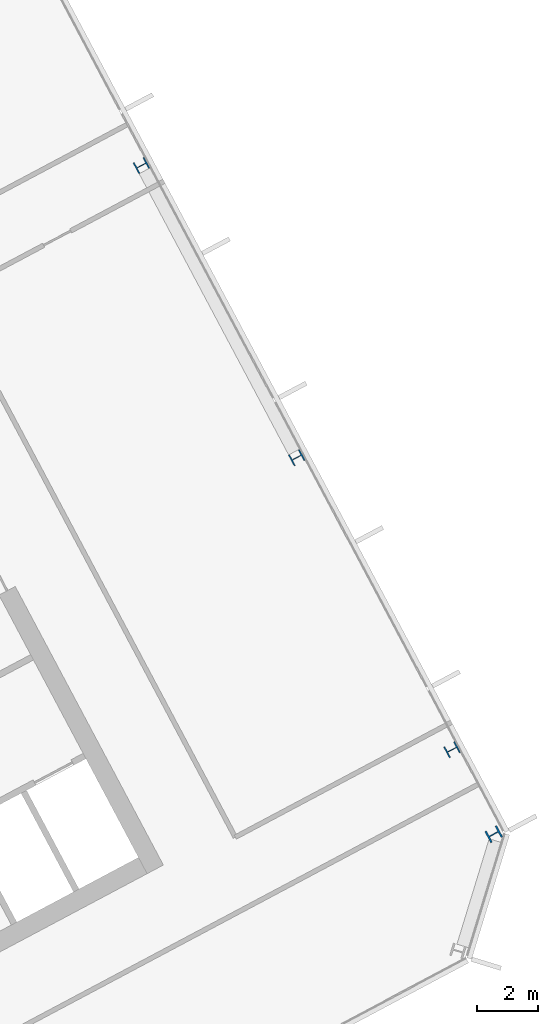
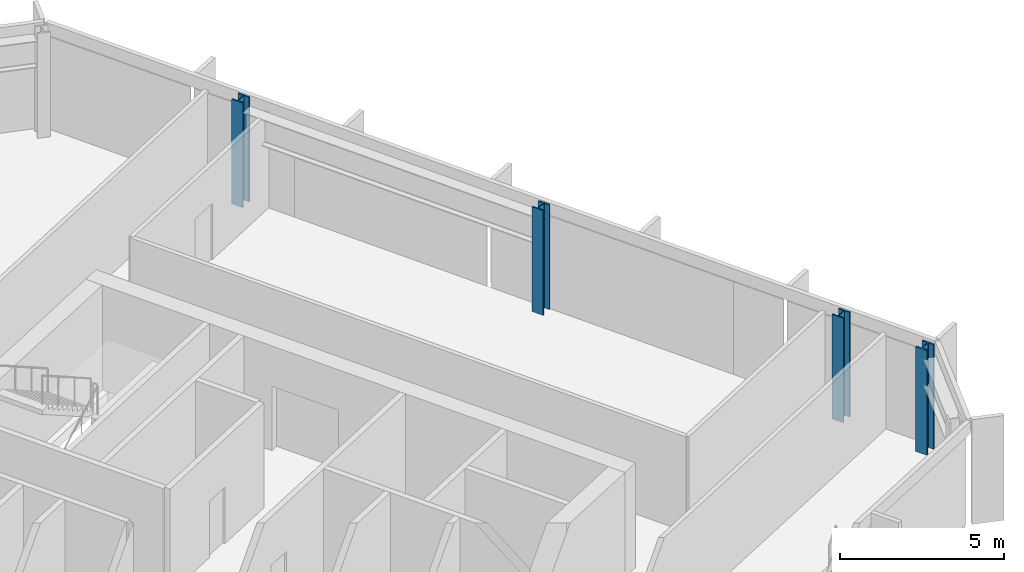
# One storey, part 7 of 26: 4 columns.
"""IFC4 building model written with IfcOpenShell, lengths in metres."""

import ifcopenshell
import ifcopenshell.guid

model = None  # the IFC model being written
_history = None  # IfcOwnerHistory: only IFC2X3 demands one
_inside = {}  # id of a spatial element -> (the spatial element, [elements in it])
_under = {}  # id of a project, library or spatial element -> (it, [spatial elements below it])
_declared = {}  # id of a project -> (the project, [libraries it declares])
_typed = {}  # id of a type object -> (the type object, [elements of that type])
_made_of = {}  # id of a material, layer set ... -> (it, [elements and type objects made of it])


def new_model(schema):
    """Start an empty IFC model of exactly this schema.

    Asked for "IFC4X3", IfcOpenShell would pick the latest addendum, in which some entities
    have other attributes; the version numbers below select the first issue.
    IFC2X3 requires an IfcOwnerHistory on every rooted entity: one is made here for all.
    """
    global model, _history
    if schema == "IFC4X3":
        model = ifcopenshell.file(schema_version=(4, 3, 0, 0))
    else:
        model = ifcopenshell.file(schema=schema)
    _inside.clear()
    _under.clear()
    _declared.clear()
    _typed.clear()
    _made_of.clear()
    _history = None
    if model.schema == "IFC2X3":
        org = make("IfcOrganization", Name="unknown")
        user = make(
            "IfcPersonAndOrganization",
            ThePerson=make("IfcPerson", FamilyName="unknown"),
            TheOrganization=org,
        )
        app = make(
            "IfcApplication",
            ApplicationDeveloper=org,
            Version="unknown",
            ApplicationFullName="unknown",
            ApplicationIdentifier="unknown",
        )
        _history = make(
            "IfcOwnerHistory",
            OwningUser=user,
            OwningApplication=app,
            ChangeAction="ADDED",
            CreationDate=0,
        )
    return model


def make(cls, **values):
    """One entity of the class cls with the attributes given. An attribute that is None is left unset."""
    return model.create_entity(
        cls, **{name: value for name, value in values.items() if value is not None}
    )


def rooted(cls, **values):
    """An entity with a GlobalId (a new one), such as an element, a storey or a relation."""
    return make(cls, GlobalId=ifcopenshell.guid.new(), OwnerHistory=_history, **values)


def si_unit(unit_type, name, prefix=None):
    """IfcSIUnit, for example si_unit("LENGTHUNIT", "METRE", prefix="MILLI")."""
    return make("IfcSIUnit", UnitType=unit_type, Prefix=prefix, Name=name)


def assignment(units):
    """IfcUnitAssignment: the units of a project."""
    return None if units is None else make("IfcUnitAssignment", Units=units)


def point(xyz):
    """IfcCartesianPoint."""
    return None if xyz is None else make("IfcCartesianPoint", Coordinates=xyz)


def direction(xyz):
    """IfcDirection."""
    return None if xyz is None else make("IfcDirection", DirectionRatios=xyz)


def frame(location, z_axis=None, x_axis=None):
    """IfcAxis2Placement3D, a coordinate frame: its origin and axes. An axis left out is left unset."""
    return make(
        "IfcAxis2Placement3D",
        Location=point(location),
        Axis=direction(z_axis),
        RefDirection=direction(x_axis),
    )


def frame_2d(location, x_axis=None):
    """IfcAxis2Placement2D, a coordinate frame in the plane: its origin and x axis."""
    return make(
        "IfcAxis2Placement2D", Location=point(location), RefDirection=direction(x_axis)
    )


def origin():
    """The frame at (0, 0, 0) with its axes left unset."""
    return frame((0.0, 0.0, 0.0))


def origin_2d():
    """The frame at (0, 0) in the plane with its x axis left unset."""
    return frame_2d((0.0, 0.0))


def place(relative_to, where):
    """IfcLocalPlacement: puts the frame where relative to a parent placement (None: the world)."""
    return make(
        "IfcLocalPlacement", PlacementRelTo=relative_to, RelativePlacement=where
    )


def context(
    kind, dimensions, precision=None, world=None, true_north=None, identifier=None
):
    """IfcGeometricRepresentationContext, for example the 3D "Model" context."""
    return make(
        "IfcGeometricRepresentationContext",
        ContextIdentifier=identifier,
        ContextType=kind,
        CoordinateSpaceDimension=dimensions,
        Precision=precision,
        WorldCoordinateSystem=world,
        TrueNorth=true_north,
    )


def subcontext(parent, identifier, kind, view, scale=None):
    """IfcGeometricRepresentationSubContext, for example "Body" below "Model"."""
    return make(
        "IfcGeometricRepresentationSubContext",
        ContextIdentifier=identifier,
        ContextType=kind,
        ParentContext=parent,
        TargetScale=scale,
        TargetView=view,
    )


def project(units=None, contexts=None):
    """IfcProject with its units and contexts."""
    return rooted(
        "IfcProject",
        Name="project",
        RepresentationContexts=contexts,
        UnitsInContext=assignment(units),
    )


def spatial(cls, under=None, at=None, **own):
    """A site, building, storey or space (cls), placed at a placement, below another one or the project."""
    s = rooted(cls, ObjectPlacement=at, **own)
    if under is not None:
        _under.setdefault(under.id(), (under, []))[1].append(s)
    return s


def profile(cls, at=None, kind="AREA", **sizes):
    """A parametric profile (cls). Its sizes go by their IFC names, for example OverallWidth=200.0."""
    return make(cls, ProfileType=kind, Position=at, **sizes)


def i_section(**sizes):
    """IfcIShapeProfileDef."""
    return profile("IfcIShapeProfileDef", **sizes)


def extrude(swept, where, along, depth):
    """IfcExtrudedAreaSolid: the profile swept, set in the frame where, extruded along a direction by depth."""
    return make(
        "IfcExtrudedAreaSolid",
        SweptArea=swept,
        Position=where,
        ExtrudedDirection=direction(along),
        Depth=depth,
    )


def shape(context_of_items, identifier, shape_type, items):
    """IfcShapeRepresentation: the items that make up one representation, for example the "Body"."""
    return make(
        "IfcShapeRepresentation",
        ContextOfItems=context_of_items,
        RepresentationIdentifier=identifier,
        RepresentationType=shape_type,
        Items=items,
    )


def material(Name=None, Category=None):
    """IfcMaterial."""
    return make("IfcMaterial", Name=Name, Category=Category)


def material_profile(
    of_material, cross_section, Name=None, Category=None, Priority=None
):
    """IfcMaterialProfile: a cross section and its material."""
    return make(
        "IfcMaterialProfile",
        Name=Name,
        Material=of_material,
        Profile=cross_section,
        Priority=Priority,
        Category=Category,
    )


def profile_set(profiles, Name=None, composite=None):
    """IfcMaterialProfileSet."""
    return make(
        "IfcMaterialProfileSet",
        Name=Name,
        MaterialProfiles=profiles,
        CompositeProfile=composite,
    )


def made_of(thing, what):
    """Note that an element or type object is made of a material, layer set ...; save() writes the relation."""
    if what is not None:
        _made_of.setdefault(what.id(), (what, []))[1].append(thing)
    return thing


def type_object(cls, material=None, **own):
    """A type object (cls), such as IfcWallType, which elements share."""
    return made_of(rooted(cls, **own), material)


def element(
    cls,
    number,
    at=None,
    inside=None,
    cuts=None,
    type_object=None,
    material=None,
    context=None,
    identifier="Body",
    shape_type=None,
    held_by="IfcProductDefinitionShape",
    body=None,
    shapes=None,
    **own,
):
    """One element of the class cls, such as IfcWall. Its Tag is "e" and its number.

    at: its placement. inside: the storey or other place that contains it. cuts: it is an
    opening in that element (IfcRelVoidsElement). A single representation is given by context,
    identifier, shape_type and body (its items); several are given by shapes. held_by: the class
    of the entity that holds the representations. save() writes the other relations.
    """
    e = rooted(cls, Tag="e%d" % number, ObjectPlacement=at, **own)
    if body is not None:
        shapes = [shape(context, identifier, shape_type, body)]
    if shapes is not None:
        e.Representation = make(held_by, Representations=shapes)
    if inside is not None:
        _inside.setdefault(inside.id(), (inside, []))[1].append(e)
    if cuts is not None:
        rooted(
            "IfcRelVoidsElement", RelatingBuildingElement=cuts, RelatedOpeningElement=e
        )
    if type_object is not None:
        _typed.setdefault(type_object.id(), (type_object, []))[1].append(e)
    return made_of(e, material)


def aggregate(whole, parts):
    """IfcRelAggregates: a whole, such as a stair, and the parts it consists of."""
    return rooted("IfcRelAggregates", RelatingObject=whole, RelatedObjects=parts)


def save(model, path):
    """Write the relations noted so far, then the file.

    IfcRelAggregates (storeys below a building ...), IfcRelContainedInSpatialStructure (elements
    in a storey), IfcRelDefinesByType, IfcRelAssociatesMaterial and IfcRelDeclares: one each for
    every whole, place, type object, material and project.
    """
    for whole, parts in _under.values():
        aggregate(whole, parts)
    for where, things in _inside.values():
        rooted(
            "IfcRelContainedInSpatialStructure",
            RelatedElements=things,
            RelatingStructure=where,
        )
    for kind, things in _typed.values():
        rooted("IfcRelDefinesByType", RelatedObjects=things, RelatingType=kind)
    for what, things in _made_of.values():
        rooted("IfcRelAssociatesMaterial", RelatedObjects=things, RelatingMaterial=what)
    for by, libraries in _declared.values():
        rooted("IfcRelDeclares", RelatingContext=by, RelatedDefinitions=libraries)
    model.write(path)


model = new_model("IFC4")

# Units and contexts
model_context = context("Model", 3, precision=1e-05, world=origin(), true_north=direction((0.0, 1.0)))
body_context = subcontext(model_context, "Body", "Model", "MODEL_VIEW")
ifc_project = project(units=[si_unit("LENGTHUNIT", "METRE"), si_unit("AREAUNIT", "SQUARE_METRE"), si_unit("VOLUMEUNIT", "CUBIC_METRE"), si_unit("PLANEANGLEUNIT", "RADIAN"), si_unit("MASSUNIT", "GRAM", prefix="KILO")], contexts=[model_context])

# Site, building, storey
site_placement = place(None, origin())
site = spatial("IfcSite", under=ifc_project, at=site_placement, CompositionType="ELEMENT")
building_placement = place(site_placement, origin())
building = spatial("IfcBuilding", under=site, at=building_placement, Name="Cormorant Relay Tower", CompositionType="ELEMENT")
storey_placement = place(building_placement, frame((0.0, 0.0, 228.60009765625)))
storey = spatial("IfcBuildingStorey", under=building, at=storey_placement, Name="L50", CompositionType="ELEMENT", Elevation=228.60009765625)

# Columns
ifc_material_1 = material(Name="Steel ASTM A992 (Fy 345 MPa)", Category="steel")
ifc_material_profile_1 = material_profile(ifc_material_1, i_section(OverallWidth=0.40380859375, OverallDepth=0.406494140625, WebThickness=0.027099609375, FlangeThickness=0.043701171875, FilletRadius=0.01513671875, at=origin_2d()), Name="W360x347")
ifc_profile_set_1 = profile_set([ifc_material_profile_1], Name="Steel ASTM A992 (Fy 345 MPa)")
column_type_1 = type_object("IfcColumnType", Name="Column W360x347", PredefinedType="COLUMN", material=ifc_profile_set_1)
for number, where, z_axis, x_axis, name in (
    (1, (47.26611328125, 12.89990234375, 0.0), (0.0, 0.0, 1.0), (-0.469471562786, 0.882947592859, 0.0), "Column L50-026"),
    (2, (42.196044921875, 22.43603515625, 0.0), (0.0, 0.0, 1.0), (-0.469471562786, 0.882947592859, 0.0), "Column L50-029"),
    (3, (37.1259765625, 31.971923828125, 0.0), (0.0, 0.0, 1.0), (-0.469471562786, 0.882947592859, 0.0), "Column L50-036"),
):
    element("IfcColumn", number, at=place(storey_placement, frame(where, z_axis=z_axis, x_axis=x_axis)), inside=storey, type_object=column_type_1, Name=name, PredefinedType="COLUMN", context=body_context, shape_type="SweptSolid", body=[
        extrude(i_section(OverallWidth=0.40380859375, OverallDepth=0.406494140625, WebThickness=0.027099609375, FlangeThickness=0.043701171875, FilletRadius=0.01513671875, at=origin_2d()), origin(), (0.0, 0.0, 1.0), 3.89990234375),
    ])
ifc_material_2 = material(Name="Steel ASTM A992 (Fy 345 MPa)", Category="steel")
ifc_material_profile_2 = material_profile(ifc_material_2, i_section(OverallWidth=0.41162109375, OverallDepth=0.434326171875, WebThickness=0.035888671875, FlangeThickness=0.057373046875, FilletRadius=0.01513671875, at=origin_2d()), Name="W360x463")
ifc_profile_set_2 = profile_set([ifc_material_profile_2], Name="Steel ASTM A992 (Fy 345 MPa)")
column_type_2 = type_object("IfcColumnType", Name="Column W360x463", PredefinedType="COLUMN", material=ifc_profile_set_2)
column_placement = place(storey_placement, frame((48.6259765625, 10.14208984375, 0.0), z_axis=(0.0, 0.0, 1.0), x_axis=(-0.469471562786, 0.882947592859, 0.0)))
element("IfcColumn", 4, at=column_placement, inside=storey, type_object=column_type_2, Name="Column L50-021", PredefinedType="COLUMN", context=body_context, shape_type="SweptSolid", body=[
    extrude(i_section(OverallWidth=0.41162109375, OverallDepth=0.434326171875, WebThickness=0.035888671875, FlangeThickness=0.057373046875, FilletRadius=0.01513671875, at=origin_2d()), origin(), (0.0, 0.0, 1.0), 3.89990234375),
])

save(model, "model.ifc")
